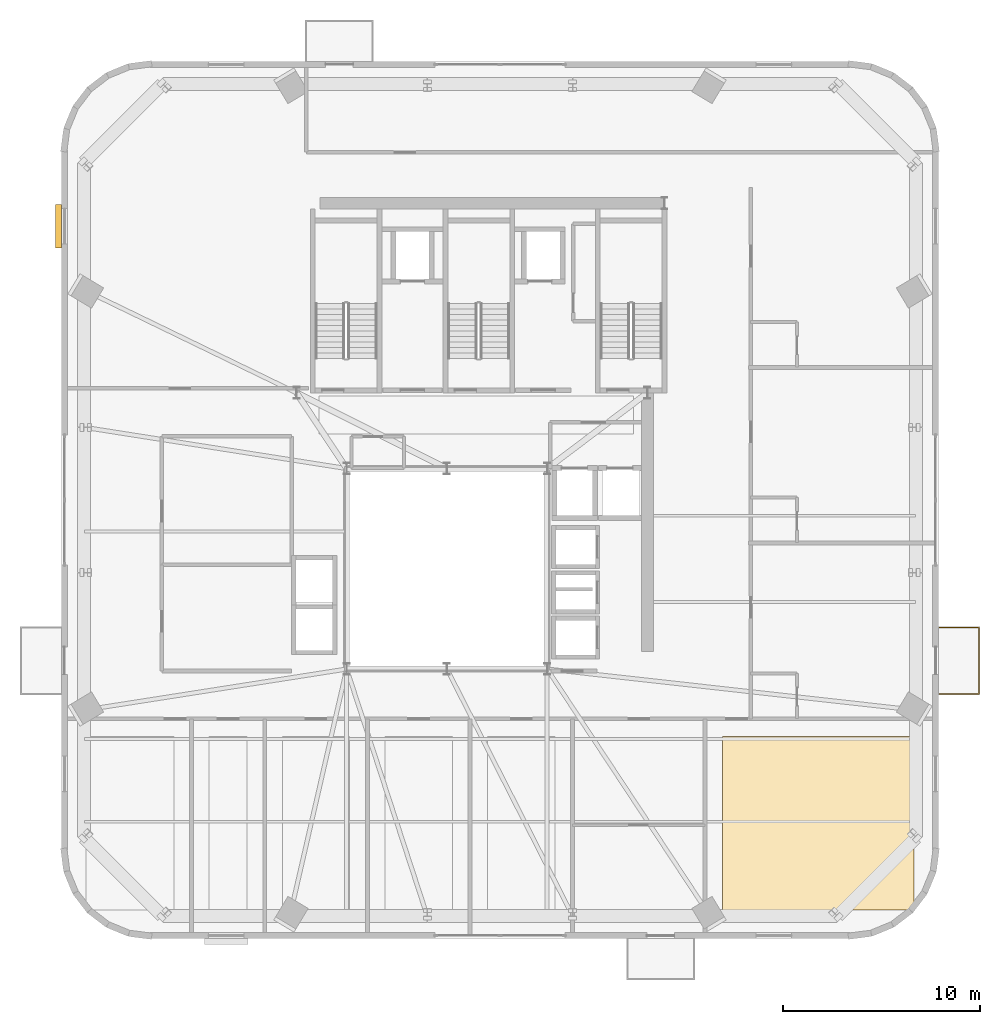
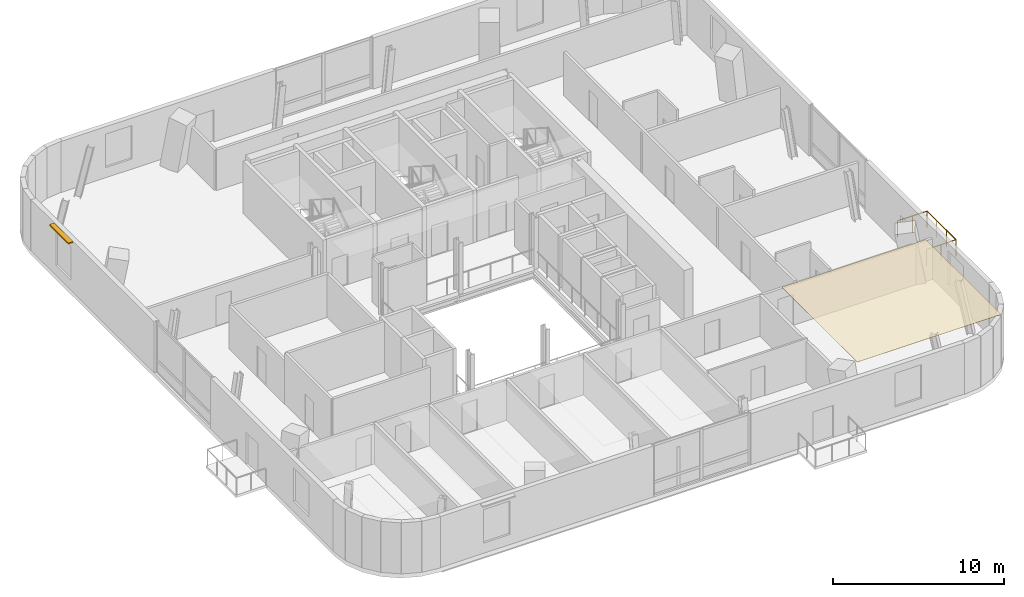
# One storey, part 14 of 15: 1 covering, 1 railing, 1 shading device.
"""IFC4 building model written with IfcOpenShell, lengths in metres."""

import ifcopenshell
import ifcopenshell.guid

model = None  # the IFC model being written
_history = None  # IfcOwnerHistory: only IFC2X3 demands one
_inside = {}  # id of a spatial element -> (the spatial element, [elements in it])
_under = {}  # id of a project, library or spatial element -> (it, [spatial elements below it])
_declared = {}  # id of a project -> (the project, [libraries it declares])
_typed = {}  # id of a type object -> (the type object, [elements of that type])
_made_of = {}  # id of a material, layer set ... -> (it, [elements and type objects made of it])


def new_model(schema):
    """Start an empty IFC model of exactly this schema.

    Asked for "IFC4X3", IfcOpenShell would pick the latest addendum, in which some entities
    have other attributes; the version numbers below select the first issue.
    IFC2X3 requires an IfcOwnerHistory on every rooted entity: one is made here for all.
    """
    global model, _history
    if schema == "IFC4X3":
        model = ifcopenshell.file(schema_version=(4, 3, 0, 0))
    else:
        model = ifcopenshell.file(schema=schema)
    _inside.clear()
    _under.clear()
    _declared.clear()
    _typed.clear()
    _made_of.clear()
    _history = None
    if model.schema == "IFC2X3":
        org = make("IfcOrganization", Name="unknown")
        user = make(
            "IfcPersonAndOrganization",
            ThePerson=make("IfcPerson", FamilyName="unknown"),
            TheOrganization=org,
        )
        app = make(
            "IfcApplication",
            ApplicationDeveloper=org,
            Version="unknown",
            ApplicationFullName="unknown",
            ApplicationIdentifier="unknown",
        )
        _history = make(
            "IfcOwnerHistory",
            OwningUser=user,
            OwningApplication=app,
            ChangeAction="ADDED",
            CreationDate=0,
        )
    return model


def make(cls, **values):
    """One entity of the class cls with the attributes given. An attribute that is None is left unset."""
    return model.create_entity(
        cls, **{name: value for name, value in values.items() if value is not None}
    )


def rooted(cls, **values):
    """An entity with a GlobalId (a new one), such as an element, a storey or a relation."""
    return make(cls, GlobalId=ifcopenshell.guid.new(), OwnerHistory=_history, **values)


def si_unit(unit_type, name, prefix=None):
    """IfcSIUnit, for example si_unit("LENGTHUNIT", "METRE", prefix="MILLI")."""
    return make("IfcSIUnit", UnitType=unit_type, Prefix=prefix, Name=name)


def assignment(units):
    """IfcUnitAssignment: the units of a project."""
    return None if units is None else make("IfcUnitAssignment", Units=units)


def point(xyz):
    """IfcCartesianPoint."""
    return None if xyz is None else make("IfcCartesianPoint", Coordinates=xyz)


def direction(xyz):
    """IfcDirection."""
    return None if xyz is None else make("IfcDirection", DirectionRatios=xyz)


def frame(location, z_axis=None, x_axis=None):
    """IfcAxis2Placement3D, a coordinate frame: its origin and axes. An axis left out is left unset."""
    return make(
        "IfcAxis2Placement3D",
        Location=point(location),
        Axis=direction(z_axis),
        RefDirection=direction(x_axis),
    )


def frame_2d(location, x_axis=None):
    """IfcAxis2Placement2D, a coordinate frame in the plane: its origin and x axis."""
    return make(
        "IfcAxis2Placement2D", Location=point(location), RefDirection=direction(x_axis)
    )


def origin():
    """The frame at (0, 0, 0) with its axes left unset."""
    return frame((0.0, 0.0, 0.0))


def origin_2d():
    """The frame at (0, 0) in the plane with its x axis left unset."""
    return frame_2d((0.0, 0.0))


def place(relative_to, where):
    """IfcLocalPlacement: puts the frame where relative to a parent placement (None: the world)."""
    return make(
        "IfcLocalPlacement", PlacementRelTo=relative_to, RelativePlacement=where
    )


def context(
    kind, dimensions, precision=None, world=None, true_north=None, identifier=None
):
    """IfcGeometricRepresentationContext, for example the 3D "Model" context."""
    return make(
        "IfcGeometricRepresentationContext",
        ContextIdentifier=identifier,
        ContextType=kind,
        CoordinateSpaceDimension=dimensions,
        Precision=precision,
        WorldCoordinateSystem=world,
        TrueNorth=true_north,
    )


def subcontext(parent, identifier, kind, view, scale=None):
    """IfcGeometricRepresentationSubContext, for example "Body" below "Model"."""
    return make(
        "IfcGeometricRepresentationSubContext",
        ContextIdentifier=identifier,
        ContextType=kind,
        ParentContext=parent,
        TargetScale=scale,
        TargetView=view,
    )


def project(units=None, contexts=None):
    """IfcProject with its units and contexts."""
    return rooted(
        "IfcProject",
        Name="project",
        RepresentationContexts=contexts,
        UnitsInContext=assignment(units),
    )


def spatial(cls, under=None, at=None, **own):
    """A site, building, storey or space (cls), placed at a placement, below another one or the project."""
    s = rooted(cls, ObjectPlacement=at, **own)
    if under is not None:
        _under.setdefault(under.id(), (under, []))[1].append(s)
    return s


def polyline(points):
    """IfcPolyline through the points."""
    return make("IfcPolyline", Points=[point(p) for p in points])


def profile(cls, at=None, kind="AREA", **sizes):
    """A parametric profile (cls). Its sizes go by their IFC names, for example OverallWidth=200.0."""
    return make(cls, ProfileType=kind, Position=at, **sizes)


def rectangle(**sizes):
    """IfcRectangleProfileDef."""
    return profile("IfcRectangleProfileDef", **sizes)


def outline(outer, holes=None, kind="AREA"):
    """IfcArbitraryClosedProfileDef: a profile drawn as a closed curve; with holes, ...WithVoids."""
    if holes is None:
        return make("IfcArbitraryClosedProfileDef", ProfileType=kind, OuterCurve=outer)
    return make(
        "IfcArbitraryProfileDefWithVoids",
        ProfileType=kind,
        OuterCurve=outer,
        InnerCurves=holes,
    )


def extrude(swept, where, along, depth):
    """IfcExtrudedAreaSolid: the profile swept, set in the frame where, extruded along a direction by depth."""
    return make(
        "IfcExtrudedAreaSolid",
        SweptArea=swept,
        Position=where,
        ExtrudedDirection=direction(along),
        Depth=depth,
    )


def shape(context_of_items, identifier, shape_type, items):
    """IfcShapeRepresentation: the items that make up one representation, for example the "Body"."""
    return make(
        "IfcShapeRepresentation",
        ContextOfItems=context_of_items,
        RepresentationIdentifier=identifier,
        RepresentationType=shape_type,
        Items=items,
    )


def source(mapping_origin, context_of_items, identifier, shape_type, items):
    """IfcRepresentationMap: a shape defined once, which mapped items show again and again."""
    return make(
        "IfcRepresentationMap",
        MappingOrigin=mapping_origin,
        MappedRepresentation=shape(context_of_items, identifier, shape_type, items),
    )


def transform(
    local_origin,
    x_axis=None,
    y_axis=None,
    z_axis=None,
    scale=None,
    scale2=None,
    scale3=None,
    uniform=True,
):
    """IfcCartesianTransformationOperator3D, or its non-uniform kind. x_axis, y_axis, z_axis: its Axis1, 2, 3."""
    if uniform:
        return make(
            "IfcCartesianTransformationOperator3D",
            Axis1=direction(x_axis),
            Axis2=direction(y_axis),
            LocalOrigin=point(local_origin),
            Scale=scale,
            Axis3=direction(z_axis),
        )
    return make(
        "IfcCartesianTransformationOperator3DnonUniform",
        Axis1=direction(x_axis),
        Axis2=direction(y_axis),
        LocalOrigin=point(local_origin),
        Scale=scale,
        Axis3=direction(z_axis),
        Scale2=scale2,
        Scale3=scale3,
    )


def mapped(mapping_source, mapping_target):
    """IfcMappedItem: shows the shape of a source again, moved by a transform."""
    return make(
        "IfcMappedItem", MappingSource=mapping_source, MappingTarget=mapping_target
    )


def material(Name=None, Category=None):
    """IfcMaterial."""
    return make("IfcMaterial", Name=Name, Category=Category)


def layer(
    of_material, thickness, ventilated=None, Name=None, Category=None, Priority=None
):
    """IfcMaterialLayer: one layer of a wall or slab, of a material (None: an air gap)."""
    return make(
        "IfcMaterialLayer",
        Material=of_material,
        LayerThickness=thickness,
        IsVentilated=ventilated,
        Name=Name,
        Category=Category,
        Priority=Priority,
    )


def layer_set(layers, Name=None):
    """IfcMaterialLayerSet."""
    return make("IfcMaterialLayerSet", MaterialLayers=layers, LayerSetName=Name)


def made_of(thing, what):
    """Note that an element or type object is made of a material, layer set ...; save() writes the relation."""
    if what is not None:
        _made_of.setdefault(what.id(), (what, []))[1].append(thing)
    return thing


def type_object(cls, material=None, **own):
    """A type object (cls), such as IfcWallType, which elements share."""
    return made_of(rooted(cls, **own), material)


def element(
    cls,
    number,
    at=None,
    inside=None,
    cuts=None,
    type_object=None,
    material=None,
    context=None,
    identifier="Body",
    shape_type=None,
    held_by="IfcProductDefinitionShape",
    body=None,
    shapes=None,
    **own,
):
    """One element of the class cls, such as IfcWall. Its Tag is "e" and its number.

    at: its placement. inside: the storey or other place that contains it. cuts: it is an
    opening in that element (IfcRelVoidsElement). A single representation is given by context,
    identifier, shape_type and body (its items); several are given by shapes. held_by: the class
    of the entity that holds the representations. save() writes the other relations.
    """
    e = rooted(cls, Tag="e%d" % number, ObjectPlacement=at, **own)
    if body is not None:
        shapes = [shape(context, identifier, shape_type, body)]
    if shapes is not None:
        e.Representation = make(held_by, Representations=shapes)
    if inside is not None:
        _inside.setdefault(inside.id(), (inside, []))[1].append(e)
    if cuts is not None:
        rooted(
            "IfcRelVoidsElement", RelatingBuildingElement=cuts, RelatedOpeningElement=e
        )
    if type_object is not None:
        _typed.setdefault(type_object.id(), (type_object, []))[1].append(e)
    return made_of(e, material)


def aggregate(whole, parts):
    """IfcRelAggregates: a whole, such as a stair, and the parts it consists of."""
    return rooted("IfcRelAggregates", RelatingObject=whole, RelatedObjects=parts)


def save(model, path):
    """Write the relations noted so far, then the file.

    IfcRelAggregates (storeys below a building ...), IfcRelContainedInSpatialStructure (elements
    in a storey), IfcRelDefinesByType, IfcRelAssociatesMaterial and IfcRelDeclares: one each for
    every whole, place, type object, material and project.
    """
    for whole, parts in _under.values():
        aggregate(whole, parts)
    for where, things in _inside.values():
        rooted(
            "IfcRelContainedInSpatialStructure",
            RelatedElements=things,
            RelatingStructure=where,
        )
    for kind, things in _typed.values():
        rooted("IfcRelDefinesByType", RelatedObjects=things, RelatingType=kind)
    for what, things in _made_of.values():
        rooted("IfcRelAssociatesMaterial", RelatedObjects=things, RelatingMaterial=what)
    for by, libraries in _declared.values():
        rooted("IfcRelDeclares", RelatingContext=by, RelatedDefinitions=libraries)
    model.write(path)


model = new_model("IFC4")

# Units and contexts
model_context = context("Model", 3, precision=1e-05, world=origin(), true_north=direction((0.0, 1.0)))
body_context = subcontext(model_context, "Body", "Model", "MODEL_VIEW")
ifc_project = project(units=[si_unit("LENGTHUNIT", "METRE"), si_unit("AREAUNIT", "SQUARE_METRE"), si_unit("VOLUMEUNIT", "CUBIC_METRE"), si_unit("PLANEANGLEUNIT", "RADIAN"), si_unit("MASSUNIT", "GRAM", prefix="KILO")], contexts=[model_context])

# Site, building, storey
site_placement = place(None, origin())
site = spatial("IfcSite", under=ifc_project, at=site_placement, CompositionType="ELEMENT")
building_placement = place(site_placement, origin())
building = spatial("IfcBuilding", under=site, at=building_placement, Name="Vardaveli Station Tower", CompositionType="ELEMENT")
storey_placement = place(building_placement, frame((0.0, 0.0, 262.449951171875)))
storey = spatial("IfcBuildingStorey", under=building, at=storey_placement, Name="L67", CompositionType="ELEMENT", Elevation=262.449951171875)

# Covering
ifc_material_1 = material(Name="Perforated acoustic mineral ceiling")
ifc_layer_1 = layer(ifc_material_1, 0.02001953125, Name="Perforated acoustic mineral ceiling")
ifc_layer_set_1 = layer_set([ifc_layer_1], Name="Perforated acoustic mineral ceiling")
covering_type = type_object("IfcCoveringType", Name="COV-CEIL-AC20", PredefinedType="CEILING", material=ifc_layer_set_1)
covering_placement = place(storey_placement, frame((0.0, 0.0, 3.635009765625)))
element("IfcCovering", 1, at=covering_placement, inside=storey, type_object=covering_type, Name="CEIL-L67-6", PredefinedType="CEILING", context=body_context, shape_type="SweptSolid", body=[
    extrude(outline(polyline([(50.320068359375, 4.330078125), (60.070068359375, 4.330078125), (60.070068359375, 13.169921875), (50.320068359375, 13.169921875), (50.320068359375, 4.330078125)])), origin(), (0.0, 0.0, 1.0), 0.02001953125),
])

# Shading device
ifc_material_2 = material(Name="Anodised champagne aluminium sunshade", Category="aluminium")
ifc_layer_2 = layer(ifc_material_2, 0.090087890625, Name="Anodised champagne aluminium sunshade")
ifc_layer_set_2 = layer_set([ifc_layer_2], Name="Anodised champagne aluminium sunshade")
shading_device_type = type_object("IfcShadingDeviceType", Name="SHD-SUNSHADE", PredefinedType="USERDEFINED", material=ifc_layer_set_2)
shared_shape_1 = source(origin(), body_context, "Body", "SweptSolid", [
    extrude(rectangle(XDim=2.199951171875, YDim=0.320068359375, at=origin_2d()), origin(), (0.0, 0.0, 1.0), 0.090087890625),
])
shading_device_placement = place(storey_placement, frame((16.534912109375, 39.131103515625, 3.52978515625), z_axis=(0.0, 0.0, 1.0), x_axis=(0.0, 1.0, 0.0)))
element("IfcShadingDevice", 2, at=shading_device_placement, inside=storey, type_object=shading_device_type, Name="SHD-SS-L67-W", ObjectType="SUNSHADE", PredefinedType="USERDEFINED", context=body_context, shape_type="MappedRepresentation", body=[
    mapped(shared_shape_1, transform((0.0, 0.0, 0.0), scale=1.0)),
])

# Railing
ifc_material_3 = material(Name="Laminated glass and stainless steel balustrade", Category="steel")
railing_type = type_object("IfcRailingType", Name="RL-BAL-1200", PredefinedType="BALUSTRADE", material=ifc_material_3)
shared_shape_2 = source(origin(), body_context, "Body", "SweptSolid", [
    extrude(rectangle(XDim=0.048095703125, YDim=0.048095703125, at=origin_2d()), frame((0.0, 0.0, 1.17578125), z_axis=(1.0, 0.0, 0.0), x_axis=(0.0, 1.0, 0.0)), (0.0, 0.0, 1.0), 2.0),
    extrude(rectangle(XDim=0.048095703125, YDim=0.048095703125, at=origin_2d()), frame((2.0, 0.0, 1.17578125), z_axis=(0.0, 1.0, 0.0), x_axis=(-1.0, 0.0, 0.0)), (0.0, 0.0, 1.0), 3.3798828125),
    extrude(rectangle(XDim=0.048095703125, YDim=0.048095703125, at=origin_2d()), frame((2.0, 3.3798828125, 1.17578125), z_axis=(-1.0, 0.0, 0.0), x_axis=(0.0, -1.0, 0.0)), (0.0, 0.0, 1.0), 2.0),
    extrude(rectangle(XDim=0.0419921875, YDim=0.0419921875, at=origin_2d()), origin(), (0.0, 0.0, 1.0), 1.15185546875),
    extrude(rectangle(XDim=0.0419921875, YDim=0.0419921875, at=origin_2d()), frame((1.0, 0.0, 0.0)), (0.0, 0.0, 1.0), 1.15185546875),
    extrude(rectangle(XDim=0.0419921875, YDim=0.0419921875, at=origin_2d()), frame((2.0, 0.0, 0.0)), (0.0, 0.0, 1.0), 1.15185546875),
    extrude(rectangle(XDim=0.0419921875, YDim=0.0419921875, at=origin_2d()), frame((2.0, 1.126708984375, 0.0)), (0.0, 0.0, 1.0), 1.15185546875),
    extrude(rectangle(XDim=0.0419921875, YDim=0.0419921875, at=origin_2d()), frame((2.0, 2.253173828125, 0.0)), (0.0, 0.0, 1.0), 1.15185546875),
    extrude(rectangle(XDim=0.0419921875, YDim=0.0419921875, at=origin_2d()), frame((2.0, 3.3798828125, 0.0)), (0.0, 0.0, 1.0), 1.15185546875),
    extrude(rectangle(XDim=0.0419921875, YDim=0.0419921875, at=origin_2d()), frame((1.0, 3.3798828125, 0.0)), (0.0, 0.0, 1.0), 1.15185546875),
    extrude(rectangle(XDim=0.0419921875, YDim=0.0419921875, at=origin_2d()), frame((0.0, 3.3798828125, 0.0)), (0.0, 0.0, 1.0), 1.15185546875),
])
railing_placement = place(storey_placement, frame((61.360107421875, 15.335205078125, 0.0)))
element("IfcRailing", 3, at=railing_placement, inside=storey, type_object=railing_type, Name="RL-LOG-L67-04", PredefinedType="BALUSTRADE", context=body_context, shape_type="MappedRepresentation", body=[
    mapped(shared_shape_2, transform((0.0, 0.0, 0.0), scale=1.0)),
])

save(model, "model.ifc")
